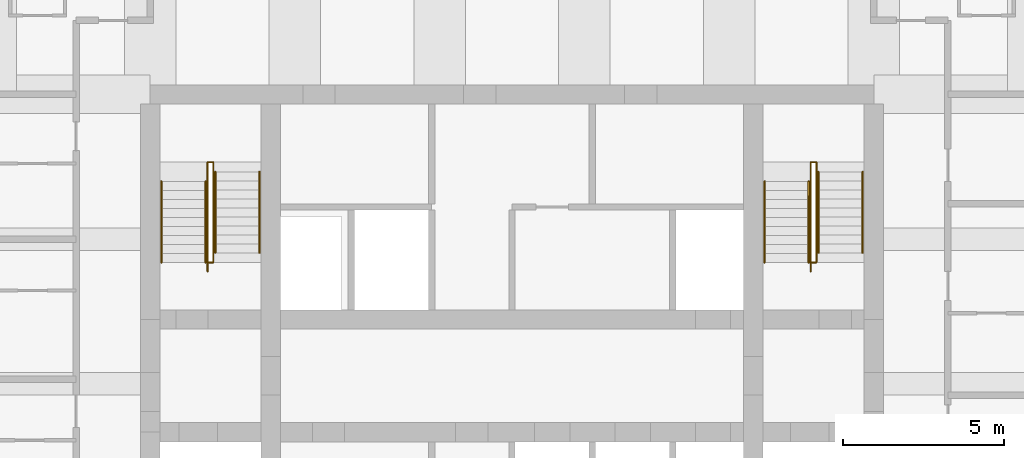
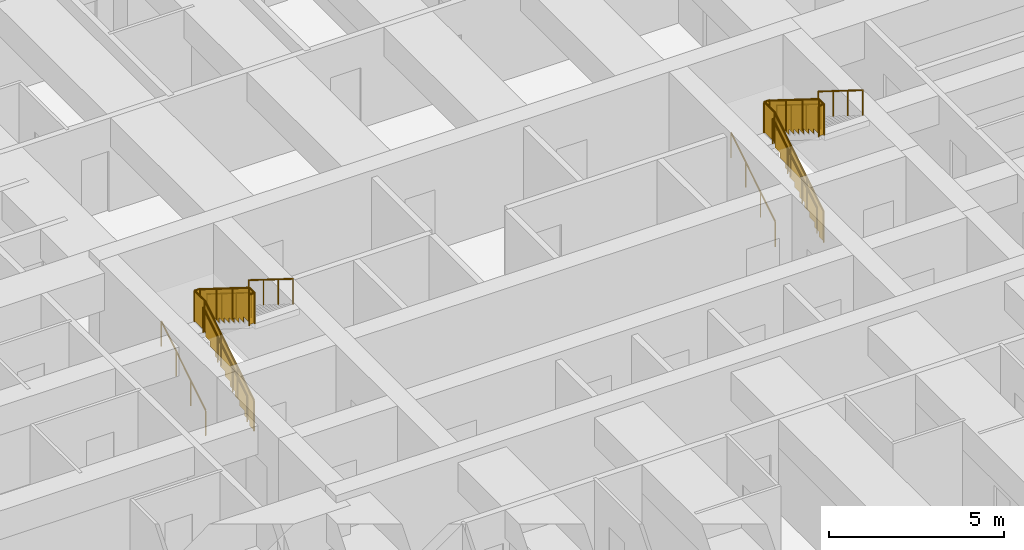
# One storey, part 8 of 8: 12 railings.
"""IFC4 building model written with IfcOpenShell, lengths in metres."""

from ifc_helpers import new_model, si_unit, direction, frame, origin, origin_2d, place, context, subcontext, project, spatial, polyline, circle, outline, extrude, material, type_object, element, save


model = new_model("IFC4")

# Units and contexts
model_context = context("Model", 3, precision=1e-05, world=origin(), true_north=direction((0.0, 1.0)))
body_context = subcontext(model_context, "Body", "Model", "MODEL_VIEW")
ifc_project = project(units=[si_unit("LENGTHUNIT", "METRE"), si_unit("AREAUNIT", "SQUARE_METRE"), si_unit("VOLUMEUNIT", "CUBIC_METRE"), si_unit("PLANEANGLEUNIT", "RADIAN"), si_unit("MASSUNIT", "GRAM", prefix="KILO")], contexts=[model_context])

# Site, building, storey
site_placement = place(None, origin())
site = spatial("IfcSite", under=ifc_project, at=site_placement, CompositionType="ELEMENT")
building_placement = place(site_placement, origin())
building = spatial("IfcBuilding", under=site, at=building_placement, Name="Kilele Tower Hotel", CompositionType="ELEMENT")
storey_placement = place(building_placement, frame((0.0, 0.0, 117.89990234375)))
storey = spatial("IfcBuildingStorey", under=building, at=storey_placement, Name="L30", CompositionType="ELEMENT", Elevation=117.89990234375)

# Railings
ifc_material_1 = material(Name="Steel handrail", Category="steel")
railing_type_1 = type_object("IfcRailingType", Name="Handrail 900", PredefinedType="HANDRAIL", material=ifc_material_1)
for number, where, name in (
    (1, (13.85009765625, 21.77490234375, 0.175048828125), "Handrail ST1 flight 1"),
    (2, (15.22509765625, 21.77490234375, 0.175048828125), "Handrail ST1 flight 1"),
):
    element("IfcRailing", number, at=place(storey_placement, frame(where)), inside=storey, type_object=railing_type_1, Name=name, PredefinedType="HANDRAIL", context=body_context, shape_type="SweptSolid", body=[
        extrude(circle(Radius=0.02490234375, at=origin_2d()), frame((0.0, 0.0, 0.875), z_axis=(0.0, 0.848007534815, 0.529984170421), x_axis=(-1.0, 0.0, 0.0)), (0.0, 0.0, 1.0), 2.9716796875),
        extrude(circle(Radius=0.02001953125, at=origin_2d()), origin(), (0.0, 0.0, 1.0), 0.849853515625),
        extrude(circle(Radius=0.02001953125, at=origin_2d()), frame((0.0, 0.840087890625, 0.52490234375)), (0.0, 0.0, 1.0), 0.849853515625),
        extrude(circle(Radius=0.02001953125, at=origin_2d()), frame((0.0, 1.679931640625, 1.050048828125)), (0.0, 0.0, 1.0), 0.849853515625),
        extrude(circle(Radius=0.02001953125, at=origin_2d()), frame((0.0, 2.52001953125, 1.574951171875)), (0.0, 0.0, 1.0), 0.849853515625),
    ])
for number, where, name in (
    (3, (15.52490234375, 24.594970703125, 1.925048828125), "Handrail ST1 flight 2"),
    (4, (16.89990234375, 24.594970703125, 1.925048828125), "Handrail ST1 flight 2"),
):
    element("IfcRailing", number, at=place(storey_placement, frame(where)), inside=storey, type_object=railing_type_1, Name=name, PredefinedType="HANDRAIL", context=body_context, shape_type="SweptSolid", body=[
        extrude(circle(Radius=0.02490234375, at=origin_2d()), frame((0.0, 0.0, 0.875), z_axis=(0.0, -0.848007534815, 0.529984170421), x_axis=(1.0, 0.0, 0.0)), (0.0, 0.0, 1.0), 2.9716796875),
        extrude(circle(Radius=0.02001953125, at=origin_2d()), origin(), (0.0, 0.0, 1.0), 0.849853515625),
        extrude(circle(Radius=0.02001953125, at=origin_2d()), frame((0.0, -0.840087890625, 0.52490234375)), (0.0, 0.0, 1.0), 0.849853515625),
        extrude(circle(Radius=0.02001953125, at=origin_2d()), frame((0.0, -1.679931640625, 1.050048828125)), (0.0, 0.0, 1.0), 0.849853515625),
        extrude(circle(Radius=0.02001953125, at=origin_2d()), frame((0.0, -2.52001953125, 1.574951171875)), (0.0, 0.0, 1.0), 0.849853515625),
    ])
for number, where, name in (
    (5, (32.60009765625, 21.77490234375, 0.175048828125), "Handrail ST2 flight 1"),
    (6, (33.97509765625, 21.77490234375, 0.175048828125), "Handrail ST2 flight 1"),
):
    element("IfcRailing", number, at=place(storey_placement, frame(where)), inside=storey, type_object=railing_type_1, Name=name, PredefinedType="HANDRAIL", context=body_context, shape_type="SweptSolid", body=[
        extrude(circle(Radius=0.02490234375, at=origin_2d()), frame((0.0, 0.0, 0.875), z_axis=(0.0, 0.848007534815, 0.529984170421), x_axis=(-1.0, 0.0, 0.0)), (0.0, 0.0, 1.0), 2.9716796875),
        extrude(circle(Radius=0.02001953125, at=origin_2d()), origin(), (0.0, 0.0, 1.0), 0.849853515625),
        extrude(circle(Radius=0.02001953125, at=origin_2d()), frame((0.0, 0.840087890625, 0.52490234375)), (0.0, 0.0, 1.0), 0.849853515625),
        extrude(circle(Radius=0.02001953125, at=origin_2d()), frame((0.0, 1.679931640625, 1.050048828125)), (0.0, 0.0, 1.0), 0.849853515625),
        extrude(circle(Radius=0.02001953125, at=origin_2d()), frame((0.0, 2.52001953125, 1.574951171875)), (0.0, 0.0, 1.0), 0.849853515625),
    ])
for number, where, name in (
    (7, (34.27490234375, 24.594970703125, 1.925048828125), "Handrail ST2 flight 2"),
    (8, (35.64990234375, 24.594970703125, 1.925048828125), "Handrail ST2 flight 2"),
):
    element("IfcRailing", number, at=place(storey_placement, frame(where)), inside=storey, type_object=railing_type_1, Name=name, PredefinedType="HANDRAIL", context=body_context, shape_type="SweptSolid", body=[
        extrude(circle(Radius=0.02490234375, at=origin_2d()), frame((0.0, 0.0, 0.875), z_axis=(0.0, -0.848007534815, 0.529984170421), x_axis=(1.0, 0.0, 0.0)), (0.0, 0.0, 1.0), 2.9716796875),
        extrude(circle(Radius=0.02001953125, at=origin_2d()), origin(), (0.0, 0.0, 1.0), 0.849853515625),
        extrude(circle(Radius=0.02001953125, at=origin_2d()), frame((0.0, -0.840087890625, 0.52490234375)), (0.0, 0.0, 1.0), 0.849853515625),
        extrude(circle(Radius=0.02001953125, at=origin_2d()), frame((0.0, -1.679931640625, 1.050048828125)), (0.0, 0.0, 1.0), 0.849853515625),
        extrude(circle(Radius=0.02001953125, at=origin_2d()), frame((0.0, -2.52001953125, 1.574951171875)), (0.0, 0.0, 1.0), 0.849853515625),
    ])
ifc_material_2 = material(Name="Steel guard", Category="steel")
railing_type_2 = type_object("IfcRailingType", Name="Stair guard 1100", PredefinedType="GUARDRAIL", material=ifc_material_2)
railing_1_placement = place(storey_placement, frame((15.284912109375, 21.4951171875, 0.0)))
element("IfcRailing", 9, at=railing_1_placement, inside=storey, type_object=railing_type_2, Name="Stair well guard ST1 flight 1", PredefinedType="GUARDRAIL", context=body_context, shape_type="SweptSolid", body=[
    extrude(circle(Radius=0.02490234375, at=origin_2d()), frame((0.0, 0.0, 1.0751953125), z_axis=(0.0, 0.847981687118, 0.530025526095), x_axis=(-1.0, 0.0, 0.0)), (0.0, 0.0, 1.0), 3.3017578125),
    extrude(circle(Radius=0.02490234375, at=origin_2d()), frame((0.0, 2.7998046875, 2.8251953125), z_axis=(0.0, 1.0, 0.0), x_axis=(-1.0, 0.0, 0.0)), (0.0, 0.0, 1.0), 0.60009765625),
    extrude(circle(Radius=0.02490234375, at=origin_2d()), frame((0.0, 3.39990234375, 2.8251953125), z_axis=(1.0, 0.0, 0.0), x_axis=(0.0, 1.0, 0.0)), (0.0, 0.0, 1.0), 0.18017578125),
    extrude(circle(Radius=0.02490234375, at=origin_2d()), origin(), (0.0, 0.0, 1.0), 1.050048828125),
    extrude(circle(Radius=0.02490234375, at=origin_2d()), frame((0.0, 0.933349609375, 0.583251953125)), (0.0, 0.0, 1.0), 1.050048828125),
    extrude(circle(Radius=0.02490234375, at=origin_2d()), frame((0.0, 1.866455078125, 1.166748046875)), (0.0, 0.0, 1.0), 1.050048828125),
    extrude(circle(Radius=0.02490234375, at=origin_2d()), frame((0.0, 2.7998046875, 1.75)), (0.0, 0.0, 1.0), 1.050048828125),
    extrude(circle(Radius=0.02490234375, at=origin_2d()), frame((0.0, 3.39990234375, 1.75)), (0.0, 0.0, 1.0), 1.050048828125),
    extrude(circle(Radius=0.02490234375, at=origin_2d()), frame((0.18017578125, 3.39990234375, 1.75)), (0.0, 0.0, 1.0), 1.050048828125),
    extrude(outline(polyline([(0.012451171875, 0.030029296875), (0.25, 0.030029296875), (0.25, 0.205078125), (0.530029296875, 0.205078125), (0.530029296875, 0.380126953125), (0.809814453125, 0.380126953125), (0.809814453125, 0.554931640625), (1.08984375, 0.554931640625), (1.08984375, 0.72998046875), (1.369873046875, 0.72998046875), (1.369873046875, 0.905029296875), (1.64990234375, 0.905029296875), (1.64990234375, 1.080078125), (1.929931640625, 1.080078125), (1.929931640625, 1.255126953125), (2.209716796875, 1.255126953125), (2.209716796875, 1.429931640625), (2.48974609375, 1.429931640625), (2.48974609375, 1.60498046875), (2.769775390625, 1.60498046875), (2.769775390625, 1.780029296875), (2.787353515625, 1.780029296875), (2.787353515625, 2.787841796875), (0.012451171875, 1.053466796875), (0.012451171875, 0.030029296875)])), frame((-0.005859375, 0.0, 0.0), z_axis=(1.0, 0.0, 0.0), x_axis=(0.0, 1.0, 0.0)), (0.0, 0.0, 1.0), 0.011962890625),
    extrude(outline(polyline([(0.012451171875, 0.030029296875), (0.587646484375, 0.030029296875), (0.587646484375, 1.050048828125), (0.012451171875, 1.050048828125), (0.012451171875, 0.030029296875)])), frame((-0.005859375, 2.7998046875, 1.75), z_axis=(1.0, 0.0, 0.0), x_axis=(0.0, 1.0, 0.0)), (0.0, 0.0, 1.0), 0.011962890625),
    extrude(outline(polyline([(0.012451171875, 0.030029296875), (0.18017578125, 0.030029296875), (0.18017578125, 1.050048828125), (0.012451171875, 1.050048828125), (0.012451171875, 0.030029296875)])), frame((0.0, 3.40576171875, 1.75), z_axis=(0.0, -1.0, 0.0), x_axis=(1.0, 0.0, 0.0)), (0.0, 0.0, 1.0), 0.011962890625),
])
railing_2_placement = place(storey_placement, frame((15.465087890625, 24.89501953125, 1.75)))
element("IfcRailing", 10, at=railing_2_placement, inside=storey, type_object=railing_type_2, Name="Stair well guard ST1 flight 2", PredefinedType="GUARDRAIL", context=body_context, shape_type="SweptSolid", body=[
    extrude(circle(Radius=0.02490234375, at=origin_2d()), frame((0.0, 0.0, 1.0751953125), z_axis=(0.0, -1.0, 0.0), x_axis=(1.0, 0.0, 0.0)), (0.0, 0.0, 1.0), 0.02001953125),
    extrude(circle(Radius=0.02490234375, at=origin_2d()), frame((0.0, -0.02001953125, 1.0751953125), z_axis=(0.0, -0.848002457836, 0.529992293815), x_axis=(1.0, 0.0, 0.0)), (0.0, 0.0, 1.0), 3.302001953125),
    extrude(circle(Radius=0.02490234375, at=origin_2d()), frame((0.0, -2.820068359375, 2.8251953125), z_axis=(0.0, -1.0, 0.0), x_axis=(1.0, 0.0, 0.0)), (0.0, 0.0, 1.0), 0.300048828125),
    extrude(circle(Radius=0.02490234375, at=origin_2d()), frame((0.0, -3.1201171875, 2.8251953125), z_axis=(-1.0, 0.0, 0.0), x_axis=(0.0, -1.0, 0.0)), (0.0, 0.0, 1.0), 0.18017578125),
    extrude(circle(Radius=0.02490234375, at=origin_2d()), origin(), (0.0, 0.0, 1.0), 1.050048828125),
    extrude(circle(Radius=0.02490234375, at=origin_2d()), frame((0.0, -0.02001953125, 0.0)), (0.0, 0.0, 1.0), 1.050048828125),
    extrude(circle(Radius=0.02490234375, at=origin_2d()), frame((0.0, -0.953369140625, 0.583251953125)), (0.0, 0.0, 1.0), 1.050048828125),
    extrude(circle(Radius=0.02490234375, at=origin_2d()), frame((0.0, -1.88671875, 1.166748046875)), (0.0, 0.0, 1.0), 1.050048828125),
    extrude(circle(Radius=0.02490234375, at=origin_2d()), frame((0.0, -2.820068359375, 1.75)), (0.0, 0.0, 1.0), 1.050048828125),
    extrude(circle(Radius=0.02490234375, at=origin_2d()), frame((0.0, -3.1201171875, 1.75)), (0.0, 0.0, 1.0), 1.050048828125),
    extrude(circle(Radius=0.02490234375, at=origin_2d()), frame((-0.18017578125, -3.1201171875, 1.75)), (0.0, 0.0, 1.0), 1.050048828125),
    extrude(outline(polyline([(0.012451171875, 0.030029296875), (0.25, 0.030029296875), (0.25, 0.205078125), (0.530029296875, 0.205078125), (0.530029296875, 0.380126953125), (0.81005859375, 0.380126953125), (0.81005859375, 0.554931640625), (1.090087890625, 0.554931640625), (1.090087890625, 0.72998046875), (1.3701171875, 0.72998046875), (1.3701171875, 0.905029296875), (1.64990234375, 0.905029296875), (1.64990234375, 1.080078125), (1.929931640625, 1.080078125), (1.929931640625, 1.255126953125), (2.2099609375, 1.255126953125), (2.2099609375, 1.429931640625), (2.489990234375, 1.429931640625), (2.489990234375, 1.60498046875), (2.77001953125, 1.60498046875), (2.77001953125, 1.780029296875), (2.78759765625, 1.780029296875), (2.78759765625, 2.787841796875), (0.012451171875, 1.053466796875), (0.012451171875, 0.030029296875)])), frame((0.005859375, -0.02001953125, 0.0), z_axis=(-1.0, 0.0, 0.0), x_axis=(0.0, -1.0, 0.0)), (0.0, 0.0, 1.0), 0.011962890625),
    extrude(outline(polyline([(0.012451171875, 0.030029296875), (0.28759765625, 0.030029296875), (0.28759765625, 1.050048828125), (0.012451171875, 1.050048828125), (0.012451171875, 0.030029296875)])), frame((0.005859375, -2.820068359375, 1.75), z_axis=(-1.0, 0.0, 0.0), x_axis=(0.0, -1.0, 0.0)), (0.0, 0.0, 1.0), 0.011962890625),
    extrude(outline(polyline([(0.012451171875, 0.030029296875), (0.18017578125, 0.030029296875), (0.18017578125, 1.050048828125), (0.012451171875, 1.050048828125), (0.012451171875, 0.030029296875)])), frame((0.0, -3.1259765625, 1.75), z_axis=(0.0, 1.0, 0.0), x_axis=(-1.0, 0.0, 0.0)), (0.0, 0.0, 1.0), 0.011962890625),
])
railing_3_placement = place(storey_placement, frame((34.034912109375, 21.4951171875, 0.0)))
element("IfcRailing", 11, at=railing_3_placement, inside=storey, type_object=railing_type_2, Name="Stair well guard ST2 flight 1", PredefinedType="GUARDRAIL", context=body_context, shape_type="SweptSolid", body=[
    extrude(circle(Radius=0.02490234375, at=origin_2d()), frame((0.0, 0.0, 1.0751953125), z_axis=(0.0, 0.847981687118, 0.530025526095), x_axis=(-1.0, 0.0, 0.0)), (0.0, 0.0, 1.0), 3.3017578125),
    extrude(circle(Radius=0.02490234375, at=origin_2d()), frame((0.0, 2.7998046875, 2.8251953125), z_axis=(0.0, 1.0, 0.0), x_axis=(-1.0, 0.0, 0.0)), (0.0, 0.0, 1.0), 0.60009765625),
    extrude(circle(Radius=0.02490234375, at=origin_2d()), frame((0.0, 3.39990234375, 2.8251953125), z_axis=(1.0, 0.0, 0.0), x_axis=(0.0, 1.0, 0.0)), (0.0, 0.0, 1.0), 0.18017578125),
    extrude(circle(Radius=0.02490234375, at=origin_2d()), origin(), (0.0, 0.0, 1.0), 1.050048828125),
    extrude(circle(Radius=0.02490234375, at=origin_2d()), frame((0.0, 0.933349609375, 0.583251953125)), (0.0, 0.0, 1.0), 1.050048828125),
    extrude(circle(Radius=0.02490234375, at=origin_2d()), frame((0.0, 1.866455078125, 1.166748046875)), (0.0, 0.0, 1.0), 1.050048828125),
    extrude(circle(Radius=0.02490234375, at=origin_2d()), frame((0.0, 2.7998046875, 1.75)), (0.0, 0.0, 1.0), 1.050048828125),
    extrude(circle(Radius=0.02490234375, at=origin_2d()), frame((0.0, 3.39990234375, 1.75)), (0.0, 0.0, 1.0), 1.050048828125),
    extrude(circle(Radius=0.02490234375, at=origin_2d()), frame((0.18017578125, 3.39990234375, 1.75)), (0.0, 0.0, 1.0), 1.050048828125),
    extrude(outline(polyline([(0.012451171875, 0.030029296875), (0.25, 0.030029296875), (0.25, 0.205078125), (0.530029296875, 0.205078125), (0.530029296875, 0.380126953125), (0.809814453125, 0.380126953125), (0.809814453125, 0.554931640625), (1.08984375, 0.554931640625), (1.08984375, 0.72998046875), (1.369873046875, 0.72998046875), (1.369873046875, 0.905029296875), (1.64990234375, 0.905029296875), (1.64990234375, 1.080078125), (1.929931640625, 1.080078125), (1.929931640625, 1.255126953125), (2.209716796875, 1.255126953125), (2.209716796875, 1.429931640625), (2.48974609375, 1.429931640625), (2.48974609375, 1.60498046875), (2.769775390625, 1.60498046875), (2.769775390625, 1.780029296875), (2.787353515625, 1.780029296875), (2.787353515625, 2.787841796875), (0.012451171875, 1.053466796875), (0.012451171875, 0.030029296875)])), frame((-0.005859375, 0.0, 0.0), z_axis=(1.0, 0.0, 0.0), x_axis=(0.0, 1.0, 0.0)), (0.0, 0.0, 1.0), 0.011962890625),
    extrude(outline(polyline([(0.012451171875, 0.030029296875), (0.587646484375, 0.030029296875), (0.587646484375, 1.050048828125), (0.012451171875, 1.050048828125), (0.012451171875, 0.030029296875)])), frame((-0.005859375, 2.7998046875, 1.75), z_axis=(1.0, 0.0, 0.0), x_axis=(0.0, 1.0, 0.0)), (0.0, 0.0, 1.0), 0.011962890625),
    extrude(outline(polyline([(0.012451171875, 0.030029296875), (0.18017578125, 0.030029296875), (0.18017578125, 1.050048828125), (0.012451171875, 1.050048828125), (0.012451171875, 0.030029296875)])), frame((0.0, 3.40576171875, 1.75), z_axis=(0.0, -1.0, 0.0), x_axis=(1.0, 0.0, 0.0)), (0.0, 0.0, 1.0), 0.011962890625),
])
railing_4_placement = place(storey_placement, frame((34.215087890625, 24.89501953125, 1.75)))
element("IfcRailing", 12, at=railing_4_placement, inside=storey, type_object=railing_type_2, Name="Stair well guard ST2 flight 2", PredefinedType="GUARDRAIL", context=body_context, shape_type="SweptSolid", body=[
    extrude(circle(Radius=0.02490234375, at=origin_2d()), frame((0.0, 0.0, 1.0751953125), z_axis=(0.0, -1.0, 0.0), x_axis=(1.0, 0.0, 0.0)), (0.0, 0.0, 1.0), 0.02001953125),
    extrude(circle(Radius=0.02490234375, at=origin_2d()), frame((0.0, -0.02001953125, 1.0751953125), z_axis=(0.0, -0.848002457836, 0.529992293815), x_axis=(1.0, 0.0, 0.0)), (0.0, 0.0, 1.0), 3.302001953125),
    extrude(circle(Radius=0.02490234375, at=origin_2d()), frame((0.0, -2.820068359375, 2.8251953125), z_axis=(0.0, -1.0, 0.0), x_axis=(1.0, 0.0, 0.0)), (0.0, 0.0, 1.0), 0.300048828125),
    extrude(circle(Radius=0.02490234375, at=origin_2d()), frame((0.0, -3.1201171875, 2.8251953125), z_axis=(-1.0, 0.0, 0.0), x_axis=(0.0, -1.0, 0.0)), (0.0, 0.0, 1.0), 0.18017578125),
    extrude(circle(Radius=0.02490234375, at=origin_2d()), origin(), (0.0, 0.0, 1.0), 1.050048828125),
    extrude(circle(Radius=0.02490234375, at=origin_2d()), frame((0.0, -0.02001953125, 0.0)), (0.0, 0.0, 1.0), 1.050048828125),
    extrude(circle(Radius=0.02490234375, at=origin_2d()), frame((0.0, -0.953369140625, 0.583251953125)), (0.0, 0.0, 1.0), 1.050048828125),
    extrude(circle(Radius=0.02490234375, at=origin_2d()), frame((0.0, -1.88671875, 1.166748046875)), (0.0, 0.0, 1.0), 1.050048828125),
    extrude(circle(Radius=0.02490234375, at=origin_2d()), frame((0.0, -2.820068359375, 1.75)), (0.0, 0.0, 1.0), 1.050048828125),
    extrude(circle(Radius=0.02490234375, at=origin_2d()), frame((0.0, -3.1201171875, 1.75)), (0.0, 0.0, 1.0), 1.050048828125),
    extrude(circle(Radius=0.02490234375, at=origin_2d()), frame((-0.18017578125, -3.1201171875, 1.75)), (0.0, 0.0, 1.0), 1.050048828125),
    extrude(outline(polyline([(0.012451171875, 0.030029296875), (0.25, 0.030029296875), (0.25, 0.205078125), (0.530029296875, 0.205078125), (0.530029296875, 0.380126953125), (0.81005859375, 0.380126953125), (0.81005859375, 0.554931640625), (1.090087890625, 0.554931640625), (1.090087890625, 0.72998046875), (1.3701171875, 0.72998046875), (1.3701171875, 0.905029296875), (1.64990234375, 0.905029296875), (1.64990234375, 1.080078125), (1.929931640625, 1.080078125), (1.929931640625, 1.255126953125), (2.2099609375, 1.255126953125), (2.2099609375, 1.429931640625), (2.489990234375, 1.429931640625), (2.489990234375, 1.60498046875), (2.77001953125, 1.60498046875), (2.77001953125, 1.780029296875), (2.78759765625, 1.780029296875), (2.78759765625, 2.787841796875), (0.012451171875, 1.053466796875), (0.012451171875, 0.030029296875)])), frame((0.005859375, -0.02001953125, 0.0), z_axis=(-1.0, 0.0, 0.0), x_axis=(0.0, -1.0, 0.0)), (0.0, 0.0, 1.0), 0.011962890625),
    extrude(outline(polyline([(0.012451171875, 0.030029296875), (0.28759765625, 0.030029296875), (0.28759765625, 1.050048828125), (0.012451171875, 1.050048828125), (0.012451171875, 0.030029296875)])), frame((0.005859375, -2.820068359375, 1.75), z_axis=(-1.0, 0.0, 0.0), x_axis=(0.0, -1.0, 0.0)), (0.0, 0.0, 1.0), 0.011962890625),
    extrude(outline(polyline([(0.012451171875, 0.030029296875), (0.18017578125, 0.030029296875), (0.18017578125, 1.050048828125), (0.012451171875, 1.050048828125), (0.012451171875, 0.030029296875)])), frame((0.0, -3.1259765625, 1.75), z_axis=(0.0, 1.0, 0.0), x_axis=(-1.0, 0.0, 0.0)), (0.0, 0.0, 1.0), 0.011962890625),
])

save(model, "model.ifc")
